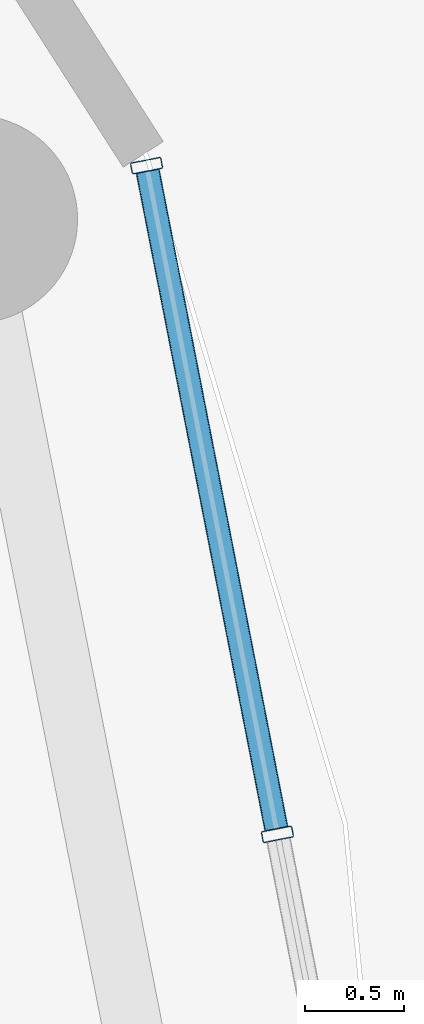
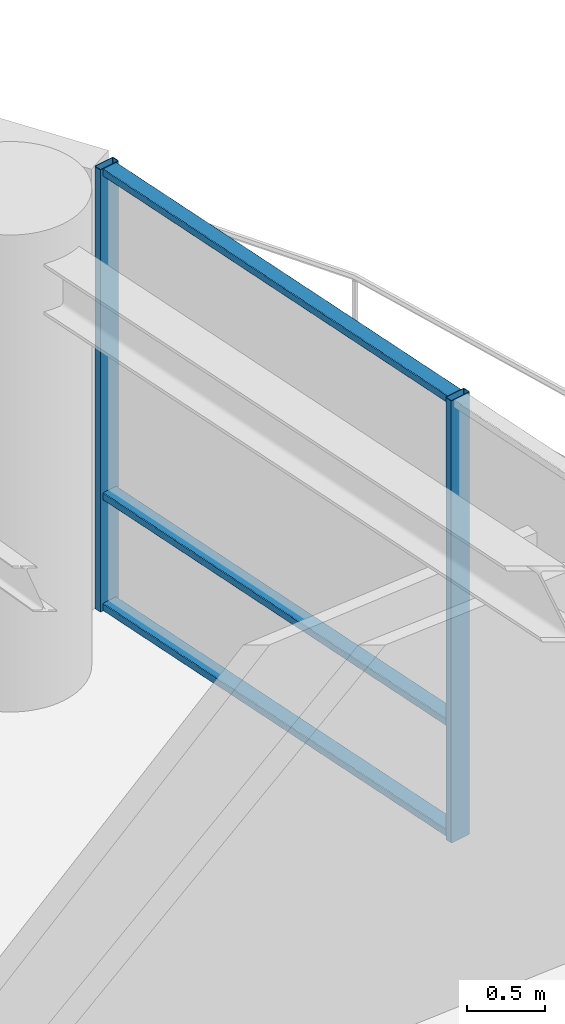
# One storey, part 16 of 31: 5 members, 1 element without a shape of its own.
"""IFC4 building model written with IfcOpenShell, lengths in metres."""

from ifc_helpers import new_model, si_unit, direction, frame, origin, origin_2d, place, context, subcontext, project, spatial, hollow_rectangle, extrude, material, layer, layer_set, material_profile, profile_set, type_object, element, aggregate, save


model = new_model("IFC4")

# Units and contexts
model_context = context("Model", 3, precision=1e-05, world=origin(), true_north=direction((0.0, 1.0)))
body_context = subcontext(model_context, "Body", "Model", "MODEL_VIEW")
ifc_project = project(units=[si_unit("LENGTHUNIT", "METRE"), si_unit("AREAUNIT", "SQUARE_METRE"), si_unit("VOLUMEUNIT", "CUBIC_METRE"), si_unit("PLANEANGLEUNIT", "RADIAN"), si_unit("MASSUNIT", "GRAM", prefix="KILO")], contexts=[model_context])

# Site, building, storey
site_placement = place(None, origin())
site = spatial("IfcSite", under=ifc_project, at=site_placement, CompositionType="ELEMENT")
building_placement = place(site_placement, origin())
building = spatial("IfcBuilding", under=site, at=building_placement, Name="Kelanora Arch Commons", CompositionType="ELEMENT")
storey_placement = place(building_placement, frame((0.0, 0.0, 230.699951171875)))
storey = spatial("IfcBuildingStorey", under=building, at=storey_placement, Name="L59", CompositionType="ELEMENT", Elevation=230.699951171875)

# Curtain wall, members
ifc_material_1 = material(Name="Terracotta ceramic-fritted low-E glass and aluminium", Category="masonry")
ifc_layer = layer(ifc_material_1, 0.175048828125)
ifc_layer_set = layer_set([ifc_layer], Name="Terracotta ceramic-fritted low-E glass and aluminium")
curtain_wall_type = type_object("IfcCurtainWallType", Name="CW-SYS-02", PredefinedType="NOTDEFINED", material=ifc_layer_set)
curtain_wall_placement = place(storey_placement, origin())
curtain_wall = element("IfcCurtainWall", 1, at=curtain_wall_placement, inside=storey, type_object=curtain_wall_type, Name="Unitised Curtain Wall L59-B00", PredefinedType="NOTDEFINED")
ifc_material_2 = material(Name="Powder-coated aluminium terracotta", Category="masonry")
ifc_material_profile_1 = material_profile(ifc_material_2, hollow_rectangle(XDim=0.159912109375, YDim=0.06005859375, WallThickness=0.0048828125, InnerFilletRadius=0.0048828125, OuterFilletRadius=0.010009765625, at=origin_2d()), Name="CWM160x60")
ifc_profile_set_1 = profile_set([ifc_material_profile_1], Name="Powder-coated aluminium terracotta")
member_type_1 = type_object("IfcMemberType", Name="CWM-STD", PredefinedType="MULLION", material=ifc_profile_set_1)
member_1_placement = place(storey_placement, frame((95.530517578125, 61.420166015625, 0.0), z_axis=(0.0, 0.0, 1.0), x_axis=(-0.981381438349, -0.192068926335, 0.0)))
member_1 = element("IfcMember", 2, at=member_1_placement, type_object=member_type_1, Name="CW-02 mullion 2", PredefinedType="MULLION", context=body_context, shape_type="SweptSolid", body=[
    extrude(hollow_rectangle(XDim=0.159912109375, YDim=0.06005859375, WallThickness=0.0048828125, InnerFilletRadius=0.0048828125, OuterFilletRadius=0.010009765625, at=origin_2d()), origin(), (0.0, 0.0, 1.0), 3.47509765625),
])
member_2_placement = place(storey_placement, frame((94.869873046875, 64.796142578125, 0.0), z_axis=(0.0, 0.0, 1.0), x_axis=(-0.981381438349, -0.192068926335, 0.0)))
member_2 = element("IfcMember", 3, at=member_2_placement, type_object=member_type_1, Name="CW-02 mullion 3", PredefinedType="MULLION", context=body_context, shape_type="SweptSolid", body=[
    extrude(hollow_rectangle(XDim=0.159912109375, YDim=0.06005859375, WallThickness=0.0048828125, InnerFilletRadius=0.0048828125, OuterFilletRadius=0.010009765625, at=origin_2d()), origin(), (0.0, 0.0, 1.0), 3.47509765625),
])
ifc_material_profile_2 = material_profile(ifc_material_2, hollow_rectangle(XDim=0.1201171875, YDim=0.06005859375, WallThickness=0.0048828125, InnerFilletRadius=0.0048828125, OuterFilletRadius=0.010009765625, at=origin_2d()), Name="CWT120x60")
ifc_profile_set_2 = profile_set([ifc_material_profile_2], Name="Powder-coated aluminium terracotta")
member_type_2 = type_object("IfcMemberType", Name="CWT-STD", PredefinedType="USERDEFINED", material=ifc_profile_set_2)
member_3_placement = place(storey_placement, frame((95.52490234375, 61.44970703125, 0.030029296875), z_axis=(-0.192058488005, 0.981383481207, 0.0), x_axis=(-0.981383481207, -0.192058488005, 0.0)))
member_3 = element("IfcMember", 4, at=member_3_placement, type_object=member_type_2, Name="CW-02 transom 2.1", ObjectType="TRANSOM", PredefinedType="USERDEFINED", context=body_context, shape_type="SweptSolid", body=[
    extrude(hollow_rectangle(XDim=0.1201171875, YDim=0.06005859375, WallThickness=0.0048828125, InnerFilletRadius=0.0048828125, OuterFilletRadius=0.010009765625, at=origin_2d()), origin(), (0.0, 0.0, 1.0), 3.380126953125),
])
member_4_placement = place(storey_placement, frame((95.52490234375, 61.44970703125, 0.900146484375), z_axis=(-0.192058488005, 0.981383481207, 0.0), x_axis=(-0.981383481207, -0.192058488005, 0.0)))
member_4 = element("IfcMember", 5, at=member_4_placement, type_object=member_type_2, Name="CW-02 transom 2.2", ObjectType="TRANSOM", PredefinedType="USERDEFINED", context=body_context, shape_type="SweptSolid", body=[
    extrude(hollow_rectangle(XDim=0.1201171875, YDim=0.06005859375, WallThickness=0.0048828125, InnerFilletRadius=0.0048828125, OuterFilletRadius=0.010009765625, at=origin_2d()), origin(), (0.0, 0.0, 1.0), 3.380126953125),
])
member_5_placement = place(storey_placement, frame((95.52490234375, 61.44970703125, 3.445068359375), z_axis=(-0.192058488005, 0.981383481207, 0.0), x_axis=(-0.981383481207, -0.192058488005, 0.0)))
member_5 = element("IfcMember", 6, at=member_5_placement, type_object=member_type_2, Name="CW-02 transom 2.3", ObjectType="TRANSOM", PredefinedType="USERDEFINED", context=body_context, shape_type="SweptSolid", body=[
    extrude(hollow_rectangle(XDim=0.1201171875, YDim=0.06005859375, WallThickness=0.0048828125, InnerFilletRadius=0.0048828125, OuterFilletRadius=0.010009765625, at=origin_2d()), origin(), (0.0, 0.0, 1.0), 3.380126953125),
])
aggregate(curtain_wall, [member_1, member_2, member_3, member_4, member_5])

save(model, "model.ifc")
